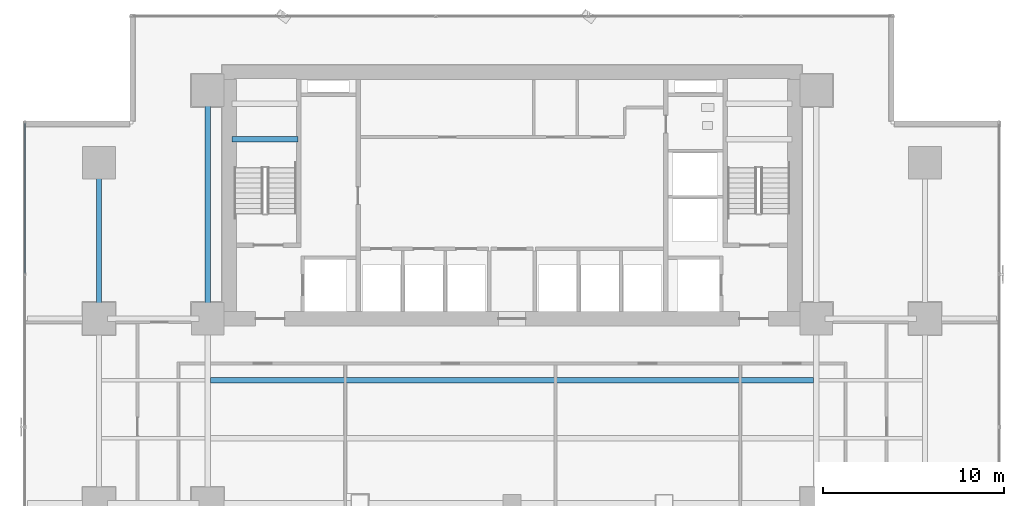
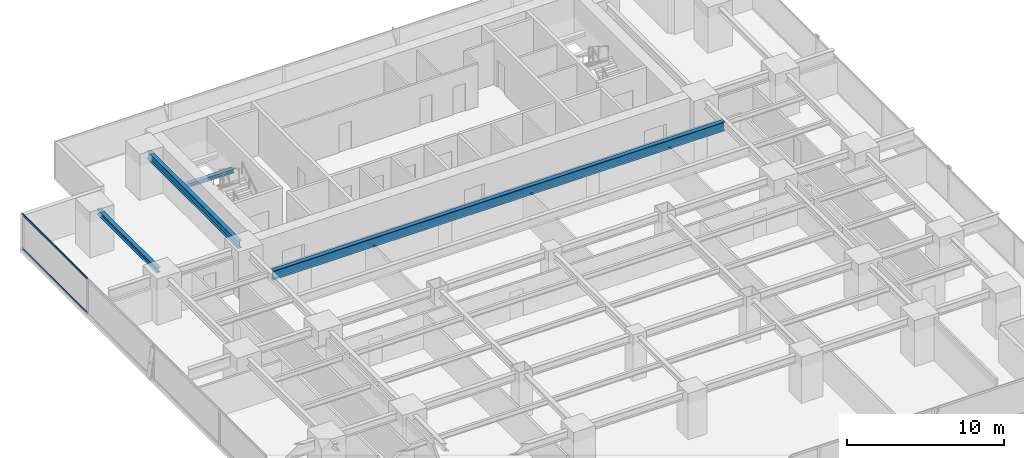
# One storey, part 16 of 32: 4 beams, 2 members, 1 element without a shape of its own.
"""IFC4 building model written with IfcOpenShell, lengths in metres."""

import ifcopenshell
import ifcopenshell.guid

model = None  # the IFC model being written
_history = None  # IfcOwnerHistory: only IFC2X3 demands one
_inside = {}  # id of a spatial element -> (the spatial element, [elements in it])
_under = {}  # id of a project, library or spatial element -> (it, [spatial elements below it])
_declared = {}  # id of a project -> (the project, [libraries it declares])
_typed = {}  # id of a type object -> (the type object, [elements of that type])
_made_of = {}  # id of a material, layer set ... -> (it, [elements and type objects made of it])


def new_model(schema):
    """Start an empty IFC model of exactly this schema.

    Asked for "IFC4X3", IfcOpenShell would pick the latest addendum, in which some entities
    have other attributes; the version numbers below select the first issue.
    IFC2X3 requires an IfcOwnerHistory on every rooted entity: one is made here for all.
    """
    global model, _history
    if schema == "IFC4X3":
        model = ifcopenshell.file(schema_version=(4, 3, 0, 0))
    else:
        model = ifcopenshell.file(schema=schema)
    _inside.clear()
    _under.clear()
    _declared.clear()
    _typed.clear()
    _made_of.clear()
    _history = None
    if model.schema == "IFC2X3":
        org = make("IfcOrganization", Name="unknown")
        user = make(
            "IfcPersonAndOrganization",
            ThePerson=make("IfcPerson", FamilyName="unknown"),
            TheOrganization=org,
        )
        app = make(
            "IfcApplication",
            ApplicationDeveloper=org,
            Version="unknown",
            ApplicationFullName="unknown",
            ApplicationIdentifier="unknown",
        )
        _history = make(
            "IfcOwnerHistory",
            OwningUser=user,
            OwningApplication=app,
            ChangeAction="ADDED",
            CreationDate=0,
        )
    return model


def make(cls, **values):
    """One entity of the class cls with the attributes given. An attribute that is None is left unset."""
    return model.create_entity(
        cls, **{name: value for name, value in values.items() if value is not None}
    )


def rooted(cls, **values):
    """An entity with a GlobalId (a new one), such as an element, a storey or a relation."""
    return make(cls, GlobalId=ifcopenshell.guid.new(), OwnerHistory=_history, **values)


def si_unit(unit_type, name, prefix=None):
    """IfcSIUnit, for example si_unit("LENGTHUNIT", "METRE", prefix="MILLI")."""
    return make("IfcSIUnit", UnitType=unit_type, Prefix=prefix, Name=name)


def assignment(units):
    """IfcUnitAssignment: the units of a project."""
    return None if units is None else make("IfcUnitAssignment", Units=units)


def point(xyz):
    """IfcCartesianPoint."""
    return None if xyz is None else make("IfcCartesianPoint", Coordinates=xyz)


def direction(xyz):
    """IfcDirection."""
    return None if xyz is None else make("IfcDirection", DirectionRatios=xyz)


def frame(location, z_axis=None, x_axis=None):
    """IfcAxis2Placement3D, a coordinate frame: its origin and axes. An axis left out is left unset."""
    return make(
        "IfcAxis2Placement3D",
        Location=point(location),
        Axis=direction(z_axis),
        RefDirection=direction(x_axis),
    )


def frame_2d(location, x_axis=None):
    """IfcAxis2Placement2D, a coordinate frame in the plane: its origin and x axis."""
    return make(
        "IfcAxis2Placement2D", Location=point(location), RefDirection=direction(x_axis)
    )


def origin():
    """The frame at (0, 0, 0) with its axes left unset."""
    return frame((0.0, 0.0, 0.0))


def origin_2d():
    """The frame at (0, 0) in the plane with its x axis left unset."""
    return frame_2d((0.0, 0.0))


def place(relative_to, where):
    """IfcLocalPlacement: puts the frame where relative to a parent placement (None: the world)."""
    return make(
        "IfcLocalPlacement", PlacementRelTo=relative_to, RelativePlacement=where
    )


def context(
    kind, dimensions, precision=None, world=None, true_north=None, identifier=None
):
    """IfcGeometricRepresentationContext, for example the 3D "Model" context."""
    return make(
        "IfcGeometricRepresentationContext",
        ContextIdentifier=identifier,
        ContextType=kind,
        CoordinateSpaceDimension=dimensions,
        Precision=precision,
        WorldCoordinateSystem=world,
        TrueNorth=true_north,
    )


def subcontext(parent, identifier, kind, view, scale=None):
    """IfcGeometricRepresentationSubContext, for example "Body" below "Model"."""
    return make(
        "IfcGeometricRepresentationSubContext",
        ContextIdentifier=identifier,
        ContextType=kind,
        ParentContext=parent,
        TargetScale=scale,
        TargetView=view,
    )


def project(units=None, contexts=None):
    """IfcProject with its units and contexts."""
    return rooted(
        "IfcProject",
        Name="project",
        RepresentationContexts=contexts,
        UnitsInContext=assignment(units),
    )


def spatial(cls, under=None, at=None, **own):
    """A site, building, storey or space (cls), placed at a placement, below another one or the project."""
    s = rooted(cls, ObjectPlacement=at, **own)
    if under is not None:
        _under.setdefault(under.id(), (under, []))[1].append(s)
    return s


def profile(cls, at=None, kind="AREA", **sizes):
    """A parametric profile (cls). Its sizes go by their IFC names, for example OverallWidth=200.0."""
    return make(cls, ProfileType=kind, Position=at, **sizes)


def hollow_rectangle(**sizes):
    """IfcRectangleHollowProfileDef."""
    return profile("IfcRectangleHollowProfileDef", **sizes)


def i_section(**sizes):
    """IfcIShapeProfileDef."""
    return profile("IfcIShapeProfileDef", **sizes)


def extrude(swept, where, along, depth):
    """IfcExtrudedAreaSolid: the profile swept, set in the frame where, extruded along a direction by depth."""
    return make(
        "IfcExtrudedAreaSolid",
        SweptArea=swept,
        Position=where,
        ExtrudedDirection=direction(along),
        Depth=depth,
    )


def shape(context_of_items, identifier, shape_type, items):
    """IfcShapeRepresentation: the items that make up one representation, for example the "Body"."""
    return make(
        "IfcShapeRepresentation",
        ContextOfItems=context_of_items,
        RepresentationIdentifier=identifier,
        RepresentationType=shape_type,
        Items=items,
    )


def source(mapping_origin, context_of_items, identifier, shape_type, items):
    """IfcRepresentationMap: a shape defined once, which mapped items show again and again."""
    return make(
        "IfcRepresentationMap",
        MappingOrigin=mapping_origin,
        MappedRepresentation=shape(context_of_items, identifier, shape_type, items),
    )


def transform(
    local_origin,
    x_axis=None,
    y_axis=None,
    z_axis=None,
    scale=None,
    scale2=None,
    scale3=None,
    uniform=True,
):
    """IfcCartesianTransformationOperator3D, or its non-uniform kind. x_axis, y_axis, z_axis: its Axis1, 2, 3."""
    if uniform:
        return make(
            "IfcCartesianTransformationOperator3D",
            Axis1=direction(x_axis),
            Axis2=direction(y_axis),
            LocalOrigin=point(local_origin),
            Scale=scale,
            Axis3=direction(z_axis),
        )
    return make(
        "IfcCartesianTransformationOperator3DnonUniform",
        Axis1=direction(x_axis),
        Axis2=direction(y_axis),
        LocalOrigin=point(local_origin),
        Scale=scale,
        Axis3=direction(z_axis),
        Scale2=scale2,
        Scale3=scale3,
    )


def mapped(mapping_source, mapping_target):
    """IfcMappedItem: shows the shape of a source again, moved by a transform."""
    return make(
        "IfcMappedItem", MappingSource=mapping_source, MappingTarget=mapping_target
    )


def material(Name=None, Category=None):
    """IfcMaterial."""
    return make("IfcMaterial", Name=Name, Category=Category)


def layer(
    of_material, thickness, ventilated=None, Name=None, Category=None, Priority=None
):
    """IfcMaterialLayer: one layer of a wall or slab, of a material (None: an air gap)."""
    return make(
        "IfcMaterialLayer",
        Material=of_material,
        LayerThickness=thickness,
        IsVentilated=ventilated,
        Name=Name,
        Category=Category,
        Priority=Priority,
    )


def layer_set(layers, Name=None):
    """IfcMaterialLayerSet."""
    return make("IfcMaterialLayerSet", MaterialLayers=layers, LayerSetName=Name)


def material_profile(
    of_material, cross_section, Name=None, Category=None, Priority=None
):
    """IfcMaterialProfile: a cross section and its material."""
    return make(
        "IfcMaterialProfile",
        Name=Name,
        Material=of_material,
        Profile=cross_section,
        Priority=Priority,
        Category=Category,
    )


def profile_set(profiles, Name=None, composite=None):
    """IfcMaterialProfileSet."""
    return make(
        "IfcMaterialProfileSet",
        Name=Name,
        MaterialProfiles=profiles,
        CompositeProfile=composite,
    )


def made_of(thing, what):
    """Note that an element or type object is made of a material, layer set ...; save() writes the relation."""
    if what is not None:
        _made_of.setdefault(what.id(), (what, []))[1].append(thing)
    return thing


def type_object(cls, material=None, **own):
    """A type object (cls), such as IfcWallType, which elements share."""
    return made_of(rooted(cls, **own), material)


def element(
    cls,
    number,
    at=None,
    inside=None,
    cuts=None,
    type_object=None,
    material=None,
    context=None,
    identifier="Body",
    shape_type=None,
    held_by="IfcProductDefinitionShape",
    body=None,
    shapes=None,
    **own,
):
    """One element of the class cls, such as IfcWall. Its Tag is "e" and its number.

    at: its placement. inside: the storey or other place that contains it. cuts: it is an
    opening in that element (IfcRelVoidsElement). A single representation is given by context,
    identifier, shape_type and body (its items); several are given by shapes. held_by: the class
    of the entity that holds the representations. save() writes the other relations.
    """
    e = rooted(cls, Tag="e%d" % number, ObjectPlacement=at, **own)
    if body is not None:
        shapes = [shape(context, identifier, shape_type, body)]
    if shapes is not None:
        e.Representation = make(held_by, Representations=shapes)
    if inside is not None:
        _inside.setdefault(inside.id(), (inside, []))[1].append(e)
    if cuts is not None:
        rooted(
            "IfcRelVoidsElement", RelatingBuildingElement=cuts, RelatedOpeningElement=e
        )
    if type_object is not None:
        _typed.setdefault(type_object.id(), (type_object, []))[1].append(e)
    return made_of(e, material)


def aggregate(whole, parts):
    """IfcRelAggregates: a whole, such as a stair, and the parts it consists of."""
    return rooted("IfcRelAggregates", RelatingObject=whole, RelatedObjects=parts)


def save(model, path):
    """Write the relations noted so far, then the file.

    IfcRelAggregates (storeys below a building ...), IfcRelContainedInSpatialStructure (elements
    in a storey), IfcRelDefinesByType, IfcRelAssociatesMaterial and IfcRelDeclares: one each for
    every whole, place, type object, material and project.
    """
    for whole, parts in _under.values():
        aggregate(whole, parts)
    for where, things in _inside.values():
        rooted(
            "IfcRelContainedInSpatialStructure",
            RelatedElements=things,
            RelatingStructure=where,
        )
    for kind, things in _typed.values():
        rooted("IfcRelDefinesByType", RelatedObjects=things, RelatingType=kind)
    for what, things in _made_of.values():
        rooted("IfcRelAssociatesMaterial", RelatedObjects=things, RelatingMaterial=what)
    for by, libraries in _declared.values():
        rooted("IfcRelDeclares", RelatingContext=by, RelatedDefinitions=libraries)
    model.write(path)


model = new_model("IFC4")

# Units and contexts
model_context = context("Model", 3, precision=1e-05, world=origin(), true_north=direction((0.0, 1.0)))
body_context = subcontext(model_context, "Body", "Model", "MODEL_VIEW")
ifc_project = project(units=[si_unit("LENGTHUNIT", "METRE"), si_unit("AREAUNIT", "SQUARE_METRE"), si_unit("VOLUMEUNIT", "CUBIC_METRE"), si_unit("PLANEANGLEUNIT", "RADIAN"), si_unit("MASSUNIT", "GRAM", prefix="KILO")], contexts=[model_context])

# Site, building, storey
site_placement = place(None, origin())
site = spatial("IfcSite", under=ifc_project, at=site_placement, CompositionType="ELEMENT")
building_placement = place(site_placement, origin())
building = spatial("IfcBuilding", under=site, at=building_placement, Name="Sumidabori Civic Tower", CompositionType="ELEMENT")
storey_placement = place(building_placement, frame((0.0, 0.0, 48.800048828125)))
storey = spatial("IfcBuildingStorey", under=building, at=storey_placement, Name="L12", CompositionType="ELEMENT", Elevation=48.800048828125)

# Beams
ifc_material_1 = material(Name="Steel SN490", Category="steel")
ifc_material_profile_1 = material_profile(ifc_material_1, i_section(OverallWidth=0.300048828125, OverallDepth=0.300048828125, WebThickness=0.010986328125, FlangeThickness=0.01904296875, at=origin_2d()), Name="HE 300 B")
ifc_profile_set_1 = profile_set([ifc_material_profile_1], Name="Steel SN490")
beam_type_1 = type_object("IfcBeamType", Name="BM-LDG-300", PredefinedType="BEAM", material=ifc_profile_set_1)
shared_shape_1 = source(origin(), body_context, "Body", "SweptSolid", [
    extrude(i_section(OverallWidth=0.300048828125, OverallDepth=0.300048828125, WebThickness=0.010986328125, FlangeThickness=0.01904296875, at=origin_2d()), origin(), (0.0, 0.0, 1.0), 3.64990234375),
])
beam_1_placement = place(storey_placement, frame((-15.449951171875, 20.09765625, 1.449951171875), z_axis=(1.0, 0.0, 0.0), x_axis=(0.0, 1.0, 0.0)))
element("IfcBeam", 1, at=beam_1_placement, inside=storey, type_object=beam_type_1, Name="Stair ST-1 Landing Support Beam L12-1A", PredefinedType="BEAM", context=body_context, shape_type="MappedRepresentation", body=[
    mapped(shared_shape_1, transform((0.0, 0.0, 0.0), x_axis=(1.0, 0.0, 0.0), y_axis=(0.0, 1.0, 0.0), z_axis=(0.0, 0.0, 1.0), scale=1.0)),
])
ifc_material_profile_2 = material_profile(ifc_material_1, i_section(OverallWidth=0.300048828125, OverallDepth=0.39990234375, WebThickness=0.013427734375, FlangeThickness=0.02392578125, at=origin_2d()), Name="HE 400 B")
ifc_profile_set_2 = profile_set([ifc_material_profile_2], Name="Steel SN490")
beam_type_2 = type_object("IfcBeamType", Name="BM-GIRD-400", PredefinedType="BEAM", material=ifc_profile_set_2)
shared_shape_2 = source(origin(), body_context, "Body", "SweptSolid", [
    extrude(i_section(OverallWidth=0.300048828125, OverallDepth=0.39990234375, WebThickness=0.013427734375, FlangeThickness=0.02392578125, at=origin_2d()), origin(), (0.0, 0.0, 1.0), 7.64013671875),
])
beam_2_placement = place(storey_placement, frame((-22.800048828125, 10.679931640625, 3.159912109375), z_axis=(0.0, 1.0, 0.0), x_axis=(-1.0, 0.0, 0.0)))
element("IfcBeam", 2, at=beam_2_placement, inside=storey, type_object=beam_type_2, Name="Primary Girder L12 GY-24", PredefinedType="BEAM", context=body_context, shape_type="MappedRepresentation", body=[
    mapped(shared_shape_2, transform((0.0, 0.0, 0.0), x_axis=(1.0, 0.0, 0.0), y_axis=(0.0, 1.0, 0.0), z_axis=(0.0, 0.0, 1.0), scale=1.0)),
])
ifc_material_profile_3 = material_profile(ifc_material_1, i_section(OverallWidth=0.300048828125, OverallDepth=0.60009765625, WebThickness=0.015380859375, FlangeThickness=0.030029296875, at=origin_2d()), Name="HE 600 B")
ifc_profile_set_3 = profile_set([ifc_material_profile_3], Name="Steel SN490")
beam_type_3 = type_object("IfcBeamType", Name="BM-GIRD-600", PredefinedType="BEAM", material=ifc_profile_set_3)
shared_shape_3 = source(origin(), body_context, "Body", "SweptSolid", [
    extrude(i_section(OverallWidth=0.300048828125, OverallDepth=0.60009765625, WebThickness=0.015380859375, FlangeThickness=0.030029296875, at=origin_2d()), origin(), (0.0, 0.0, 1.0), 11.64013671875),
])
beam_3_placement = place(storey_placement, frame((-16.800048828125, 10.679931640625, 3.06005859375), z_axis=(0.0, 1.0, 0.0), x_axis=(-1.0, 0.0, 0.0)))
element("IfcBeam", 3, at=beam_3_placement, inside=storey, type_object=beam_type_3, Name="Primary Girder L12 GY-28", PredefinedType="BEAM", context=body_context, shape_type="MappedRepresentation", body=[
    mapped(shared_shape_3, transform((0.0, 0.0, 0.0), x_axis=(1.0, 0.0, 0.0), y_axis=(0.0, 1.0, 0.0), z_axis=(0.0, 0.0, 1.0), scale=1.0)),
])
ifc_material_profile_4 = material_profile(ifc_material_1, i_section(OverallWidth=0.300048828125, OverallDepth=0.699951171875, WebThickness=0.01708984375, FlangeThickness=0.031982421875, at=origin_2d()), Name="HE 700 B")
ifc_profile_set_4 = profile_set([ifc_material_profile_4], Name="Steel SN490")
beam_type_4 = type_object("IfcBeamType", Name="BM-GIRD-700", PredefinedType="BEAM", material=ifc_profile_set_4)
shared_shape_4 = source(origin(), body_context, "Body", "SweptSolid", [
    extrude(i_section(OverallWidth=0.300048828125, OverallDepth=0.699951171875, WebThickness=0.01708984375, FlangeThickness=0.031982421875, at=origin_2d()), origin(), (0.0, 0.0, 1.0), 33.2998046875),
])
beam_4_placement = place(storey_placement, frame((-16.64990234375, 6.800048828125, 3.010009765625), z_axis=(1.0, 0.0, 0.0), x_axis=(0.0, 1.0, 0.0)))
element("IfcBeam", 4, at=beam_4_placement, inside=storey, type_object=beam_type_4, Name="North Bay Floor Beam L12 JSTN-60", PredefinedType="BEAM", context=body_context, shape_type="MappedRepresentation", body=[
    mapped(shared_shape_4, transform((0.0, 0.0, 0.0), x_axis=(1.0, 0.0, 0.0), y_axis=(0.0, 1.0, 0.0), z_axis=(0.0, 0.0, 1.0), scale=1.0)),
])

# Curtain wall, members
ifc_material_2 = material(Name="Anodised Bronze Aluminium AW-6063-T6", Category="aluminium")
ifc_layer = layer(ifc_material_2, 0.179931640625, Name="Anodised Bronze Aluminium AW-6063-T6")
ifc_layer_set = layer_set([ifc_layer], Name="Anodised Bronze Aluminium AW-6063-T6")
curtain_wall_type = type_object("IfcCurtainWallType", Name="CW-SYS-2", PredefinedType="NOTDEFINED", material=ifc_layer_set)
curtain_wall_placement = place(storey_placement, origin())
curtain_wall = element("IfcCurtainWall", 5, at=curtain_wall_placement, inside=storey, type_object=curtain_wall_type, Name="Curtain Wall CW:L12:R10", PredefinedType="NOTDEFINED")
ifc_material_profile_5 = material_profile(ifc_material_2, hollow_rectangle(XDim=0.06494140625, YDim=0.14990234375, WallThickness=0.0048828125, at=origin_2d()), Name="ALU TRANSOM 150x65")
ifc_profile_set_5 = profile_set([ifc_material_profile_5], Name="Anodised Bronze Aluminium AW-6063-T6")
member_type = type_object("IfcMemberType", Name="CW-TRN-150", PredefinedType="USERDEFINED", material=ifc_profile_set_5)
shared_shape_5 = source(origin(), body_context, "Body", "SweptSolid", [
    extrude(hollow_rectangle(XDim=0.06494140625, YDim=0.14990234375, WallThickness=0.0048828125, at=origin_2d()), origin(), (0.0, 0.0, 1.0), 8.322998046875),
])
member_1_placement = place(storey_placement, frame((-26.8798828125, 21.0, 0.032470703125), z_axis=(0.0, -1.0, 0.0), x_axis=(1.0, 0.0, 0.0)))
member_1 = element("IfcMember", 6, at=member_1_placement, type_object=member_type, Name="CW-2 transom 1.1", ObjectType="TRANSOM", PredefinedType="USERDEFINED", context=body_context, shape_type="MappedRepresentation", body=[
    mapped(shared_shape_5, transform((0.0, 0.0, 0.0), x_axis=(1.0, 0.0, 0.0), y_axis=(0.0, 1.0, 0.0), z_axis=(0.0, 0.0, 1.0), scale=1.0)),
])
member_2_placement = place(storey_placement, frame((-26.8798828125, 21.0, 2.70751953125), z_axis=(0.0, -1.0, 0.0), x_axis=(1.0, 0.0, 0.0)))
member_2 = element("IfcMember", 7, at=member_2_placement, type_object=member_type, Name="CW-2 transom 1.2", ObjectType="TRANSOM", PredefinedType="USERDEFINED", context=body_context, shape_type="MappedRepresentation", body=[
    mapped(shared_shape_5, transform((0.0, 0.0, 0.0), x_axis=(1.0, 0.0, 0.0), y_axis=(0.0, 1.0, 0.0), z_axis=(0.0, 0.0, 1.0), scale=1.0)),
])
aggregate(curtain_wall, [member_1, member_2])

save(model, "model.ifc")
